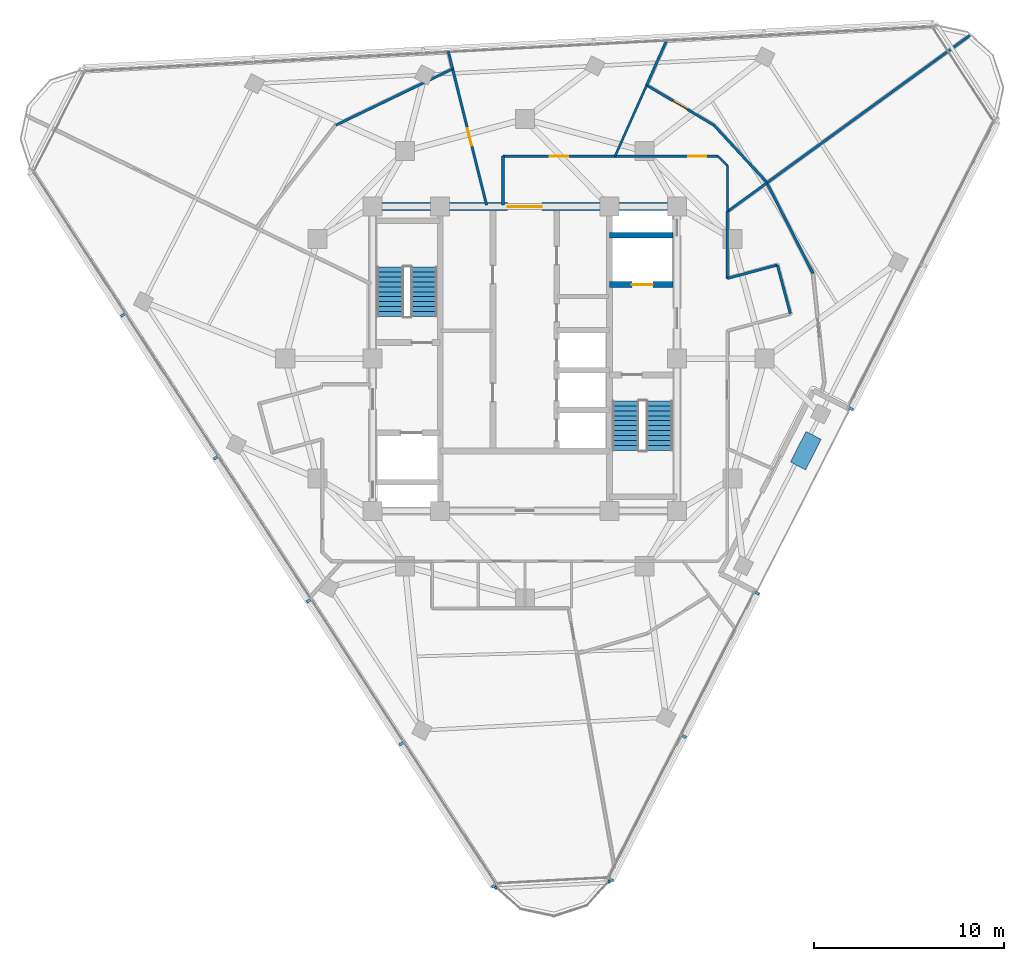
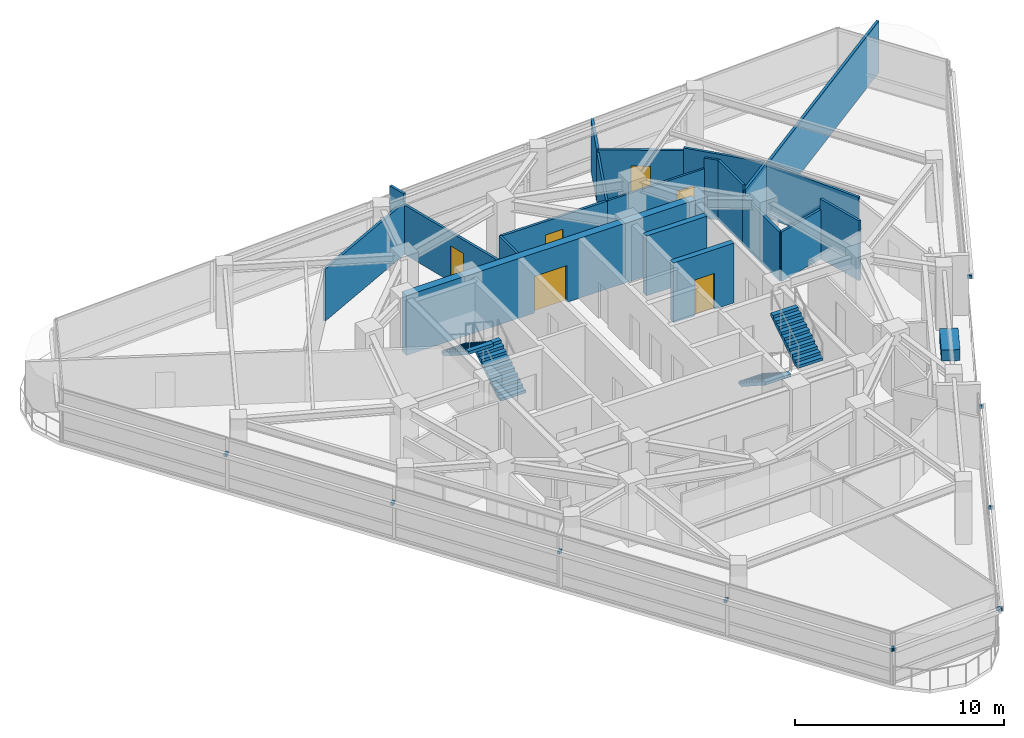
# One storey, part 10 of 15: 21 walls, 12 discrete accessories, 6 doors, 4 stair flights, 6 openings, 2 elements without a shape of their own.
"""IFC4 building model written with IfcOpenShell, lengths in metres."""

from ifc_helpers import new_model, si_unit, direction, frame, frame_2d, origin, origin_2d, place, context, subcontext, project, spatial, polyline, rectangle, outline, extrude, material, layer, layer_set, type_object, element, fill, aggregate, save


model = new_model("IFC4")

# Units and contexts
model_context = context("Model", 3, precision=1e-05, world=origin(), true_north=direction((0.0, 1.0)))
body_context = subcontext(model_context, "Body", "Model", "MODEL_VIEW")
ifc_project = project(units=[si_unit("LENGTHUNIT", "METRE"), si_unit("AREAUNIT", "SQUARE_METRE"), si_unit("VOLUMEUNIT", "CUBIC_METRE"), si_unit("PLANEANGLEUNIT", "RADIAN"), si_unit("MASSUNIT", "GRAM", prefix="KILO")], contexts=[model_context])

# Site, building, storey
site_placement = place(None, origin())
site = spatial("IfcSite", under=ifc_project, at=site_placement, CompositionType="ELEMENT")
building_placement = place(site_placement, origin())
building = spatial("IfcBuilding", under=site, at=building_placement, Name="Terralouvre Media Tower", CompositionType="ELEMENT")
storey_placement = place(building_placement, frame((0.0, 0.0, 252.199951171875)))
storey = spatial("IfcBuildingStorey", under=building, at=storey_placement, Name="L65", CompositionType="ELEMENT", Elevation=252.199951171875)

# Wall, opening, door
ifc_material_1 = material(Name="Concrete C50/60", Category="concrete")
ifc_layer_1 = layer(ifc_material_1, 0.300048828125, Name="Core Internal Shaft Wall CW-300")
ifc_layer_set_1 = layer_set([ifc_layer_1], Name="Concrete C50/60")
wall_type_1 = type_object("IfcWallType", Name="Core Internal Shaft Wall CW-300", PredefinedType="SHEAR", material=ifc_layer_set_1)
wall_1_placement = place(storey_placement, frame((4.449951171875, 3.89990234375, 0.0), z_axis=(0.0, 0.0, 1.0), x_axis=(1.0, 0.0, 0.0)))
wall_1 = element("IfcWall", 1, at=wall_1_placement, inside=storey, type_object=wall_type_1, Name="L65 Core Shaft Wall FF2S", PredefinedType="SHEAR", context=body_context, shape_type="SweptSolid", body=[
    extrude(rectangle(XDim=3.340087890625, YDim=0.300048828125, at=frame_2d((1.669921875, 0.0))), origin(), (0.0, 0.0, 1.0), 3.5),
])
opening_1_placement = place(wall_1_placement, frame((1.179931640625, 0.0, 0.0)))
opening_1 = element("IfcOpeningElement", 2, at=opening_1_placement, cuts=wall_1, Name="Opening LD-FF", PredefinedType="OPENING", context=body_context, shape_type="SweptSolid", body=[
    extrude(rectangle(XDim=1.10009765625, YDim=2.10009765625, at=frame_2d((0.550048828125, 1.050048828125))), frame((0.0, 0.159912109375, 0.0), z_axis=(0.0, -1.0, 0.0), x_axis=(1.0, 0.0, 0.0)), (0.0, 0.0, 1.0), 0.320068359375),
])
ifc_material_2 = material(Name="Stainless steel 316 handrail and balustrade", Category="steel")
door_type_1 = type_object("IfcDoorType", Name="Firefighting Lift Sliding Landing Door LD-FF", OperationType="SLIDING_TO_LEFT", PredefinedType="DOOR", material=ifc_material_2)
door_1_placement = place(opening_1_placement, origin())
door_1 = element("IfcDoor", 3, at=door_1_placement, inside=storey, type_object=door_type_1, Name="L65 Firefighting Lift FFL-02 Landing Door", OperationType="SLIDING_TO_LEFT", OverallHeight=2.10009765625, OverallWidth=1.10009765625, PredefinedType="DOOR", context=body_context, shape_type="SweptSolid", body=[
    extrude(rectangle(XDim=1.10009765625, YDim=2.10009765625, at=frame_2d((0.550048828125, 1.050048828125))), frame((0.0, 0.02490234375, 0.0), z_axis=(0.0, -1.0, 0.0), x_axis=(1.0, 0.0, 0.0)), (0.0, 0.0, 1.0), 0.050048828125),
])
fill(opening_1, door_1)

# Wall
wall_2_placement = place(storey_placement, frame((4.449951171875, 6.5, 0.0), z_axis=(0.0, 0.0, 1.0), x_axis=(1.0, 0.0, 0.0)))
element("IfcWall", 4, at=wall_2_placement, inside=storey, type_object=wall_type_1, Name="L65 Core Shaft Wall FF2N", PredefinedType="SHEAR", context=body_context, shape_type="SweptSolid", body=[
    extrude(rectangle(XDim=3.340087890625, YDim=0.300048828125, at=frame_2d((1.669921875, 0.0))), origin(), (0.0, 0.0, 1.0), 3.5),
])

# Wall, opening, door
ifc_material_3 = material(Name="Concrete C60/75", Category="concrete")
ifc_layer_2 = layer(ifc_material_3, 0.419921875, Name="Core Reinforced Concrete Shear Wall CW-420")
ifc_layer_set_2 = layer_set([ifc_layer_2], Name="Concrete C60/75")
wall_type_2 = type_object("IfcWallType", Name="Core Reinforced Concrete Shear Wall CW-420", PredefinedType="SHEAR", material=ifc_layer_set_2)
wall_3_placement = place(storey_placement, frame((-8.0, 8.0, 0.0), z_axis=(0.0, 0.0, 1.0), x_axis=(1.0, 0.0, 0.0)))
wall_3 = element("IfcWall", 5, at=wall_3_placement, inside=storey, type_object=wall_type_2, Name="L65 N Core Shear Wall", PredefinedType="SHEAR", context=body_context, shape_type="SweptSolid", body=[
    extrude(rectangle(XDim=16.0, YDim=0.419921875, at=frame_2d((8.0, 0.0))), origin(), (0.0, 0.0, 1.0), 3.5),
])
opening_2_placement = place(wall_3_placement, frame((7.10009765625, 0.0, 0.0)))
opening_2 = element("IfcOpeningElement", 6, at=opening_2_placement, cuts=wall_3, Name="Opening FD-03", PredefinedType="OPENING", context=body_context, shape_type="SweptSolid", body=[
    extrude(rectangle(XDim=1.800048828125, YDim=2.14990234375, at=frame_2d((0.89990234375, 1.074951171875))), frame((0.0, 0.219970703125, 0.0), z_axis=(0.0, -1.0, 0.0), x_axis=(1.0, 0.0, 0.0)), (0.0, 0.0, 1.0), 0.43994140625),
])
ifc_material_4 = material(Name="Galvanised steel fire-resisting leaf", Category="steel")
door_type_2 = type_object("IfcDoorType", Name="Corridor Smoke-Control Double Door FD-03", OperationType="DOUBLE_DOOR_SINGLE_SWING", PredefinedType="DOOR", material=ifc_material_4)
door_2_placement = place(opening_2_placement, origin())
door_2 = element("IfcDoor", 7, at=door_2_placement, inside=storey, type_object=door_type_2, Name="L65 Central Lift Lobby Portal Door", OperationType="DOUBLE_DOOR_SINGLE_SWING", OverallHeight=2.14990234375, OverallWidth=1.800048828125, PredefinedType="DOOR", context=body_context, shape_type="SweptSolid", body=[
    extrude(rectangle(XDim=1.800048828125, YDim=2.14990234375, at=frame_2d((0.89990234375, 1.074951171875))), frame((0.0, 0.02490234375, 0.0), z_axis=(0.0, -1.0, 0.0), x_axis=(1.0, 0.0, 0.0)), (0.0, 0.0, 1.0), 0.050048828125),
])
fill(opening_2, door_2)

# Walls
ifc_material_5 = material(Name="Fire-rated gypsum board drywall partition")
ifc_layer_3 = layer(ifc_material_5, 0.135009765625, Name="Newsroom Acoustic Partition PT-135")
ifc_layer_set_3 = layer_set([ifc_layer_3], Name="Fire-rated gypsum board drywall partition")
wall_type_3 = type_object("IfcWallType", Name="Newsroom Acoustic Partition PT-135", PredefinedType="PARTITIONING", material=ifc_layer_set_3)
wall_4_placement = place(storey_placement, frame((13.9619140625, 2.368896484375, 0.0), z_axis=(0.0, 0.0, 1.0), x_axis=(-0.258413725385, 0.966034340245, 0.0)))
element("IfcWall", 8, at=wall_4_placement, inside=storey, type_object=wall_type_3, Name="L65 Interior Partition 010", PredefinedType="PARTITIONING", context=body_context, shape_type="SweptSolid", body=[
    extrude(rectangle(XDim=2.650146484375, YDim=0.135009765625, at=frame_2d((1.3251953125, 0.0))), origin(), (0.0, 0.0, 1.0), 3.5),
])
wall_5_placement = place(storey_placement, frame((13.277099609375, 4.928955078125, 0.0), z_axis=(0.0, 0.0, 1.0), x_axis=(-0.965934830229, -0.258785439601, 0.0)))
element("IfcWall", 9, at=wall_5_placement, inside=storey, type_object=wall_type_3, Name="L65 Interior Partition 011", PredefinedType="PARTITIONING", context=body_context, shape_type="SweptSolid", body=[
    extrude(rectangle(XDim=2.719970703125, YDim=0.135009765625, at=frame_2d((1.35986328125, 0.0))), origin(), (0.0, 0.0, 1.0), 2.885009765625),
])
wall_6_placement = place(storey_placement, frame((10.64990234375, 4.22509765625, 0.0), z_axis=(0.0, 0.0, 1.0), x_axis=(0.0, 1.0, 0.0)))
element("IfcWall", 10, at=wall_6_placement, inside=storey, type_object=wall_type_3, Name="L65 Interior Partition 012", PredefinedType="PARTITIONING", context=body_context, shape_type="SweptSolid", body=[
    extrude(rectangle(XDim=3.512939453125, YDim=0.135009765625, at=frame_2d((1.75634765625, 0.0))), origin(), (0.0, 0.0, 1.0), 2.885009765625),
])

# Wall, opening, door
wall_7_placement = place(storey_placement, frame((4.741943359375, 10.64990234375, 0.0), z_axis=(0.0, 0.0, 1.0), x_axis=(-1.0, 0.0, 0.0)))
wall_7 = element("IfcWall", 11, at=wall_7_placement, inside=storey, type_object=wall_type_3, Name="L65 Interior Partition 024", PredefinedType="PARTITIONING", context=body_context, shape_type="SweptSolid", body=[
    extrude(rectangle(XDim=5.891845703125, YDim=0.135009765625, at=frame_2d((2.94580078125, 0.0))), origin(), (0.0, 0.0, 1.0), 2.885009765625),
])
opening_3_placement = place(wall_7_placement, frame((2.470947265625, 0.0, 0.0)))
opening_3 = element("IfcOpeningElement", 12, at=opening_3_placement, cuts=wall_7, Name="Opening ID-02-95X210", PredefinedType="OPENING", context=body_context, shape_type="SweptSolid", body=[
    extrude(rectangle(XDim=0.949951171875, YDim=2.10009765625, at=frame_2d((0.47509765625, 1.050048828125))), frame((0.0, 0.077392578125, 0.0), z_axis=(0.0, -1.0, 0.0), x_axis=(1.0, 0.0, 0.0)), (0.0, 0.0, 1.0), 0.155029296875),
])
ifc_material_6 = material(Name="Engineered hardwood acoustic timber leaf", Category="wood")
door_type_3 = type_object("IfcDoorType", Name="Office and Meeting Room Door ID-02 (950x2100)", OperationType="NOTDEFINED", PredefinedType="DOOR", material=ifc_material_6)
door_3_placement = place(opening_3_placement, origin())
door_3 = element("IfcDoor", 13, at=door_3_placement, inside=storey, type_object=door_type_3, Name="L65 Manuscript Rare Archive Storage 10 Door", OperationType="SINGLE_SWING_LEFT", OverallHeight=2.10009765625, OverallWidth=0.949951171875, PredefinedType="DOOR", context=body_context, shape_type="SweptSolid", body=[
    extrude(rectangle(XDim=0.949951171875, YDim=2.10009765625, at=frame_2d((0.47509765625, 1.050048828125))), frame((0.0, 0.02490234375, 0.0), z_axis=(0.0, -1.0, 0.0), x_axis=(1.0, 0.0, 0.0)), (0.0, 0.0, 1.0), 0.050048828125),
])
fill(opening_3, door_3)

# Walls
wall_8_placement = place(storey_placement, frame((-1.14990234375, 10.64990234375, 0.0), z_axis=(0.0, 0.0, 1.0), x_axis=(0.0, -1.0, 0.0)))
element("IfcWall", 14, at=wall_8_placement, inside=storey, type_object=wall_type_3, Name="L65 Interior Partition 025", PredefinedType="PARTITIONING", context=body_context, shape_type="SweptSolid", body=[
    extrude(rectangle(XDim=2.56982421875, YDim=0.135009765625, at=frame_2d((1.284912109375, 0.0))), origin(), (0.0, 0.0, 1.0), 2.885009765625),
])
wall_9_placement = place(storey_placement, frame((15.14892578125, 4.487060546875, 0.0), z_axis=(0.0, 0.0, 1.0), x_axis=(-0.453912768225, 0.891046126102, 0.0)))
element("IfcWall", 15, at=wall_9_placement, inside=storey, type_object=wall_type_3, Name="L65 Interior Partition 032", PredefinedType="PARTITIONING", context=body_context, shape_type="SweptSolid", body=[
    extrude(rectangle(XDim=5.33984375, YDim=0.135009765625, at=frame_2d((2.669921875, 0.0))), origin(), (0.0, 0.0, 1.0), 3.18505859375),
])
wall_10_placement = place(storey_placement, frame((12.72509765625, 9.2451171875, 0.0), z_axis=(0.0, 0.0, 1.0), x_axis=(-0.809135191367, -0.587622533683, 0.0)))
element("IfcWall", 16, at=wall_10_placement, inside=storey, type_object=wall_type_3, Name="L65 Interior Partition 033", PredefinedType="PARTITIONING", context=body_context, shape_type="SweptSolid", body=[
    extrude(rectangle(XDim=2.564697265625, YDim=0.135009765625, at=frame_2d((1.2822265625, 0.0))), origin(), (0.0, 0.0, 1.0), 3.18505859375),
])
wall_11_placement = place(storey_placement, frame((23.393798828125, 16.996826171875, 0.0), z_axis=(0.0, 0.0, 1.0), x_axis=(-0.80901413128, -0.587789192985, 0.0)))
element("IfcWall", 17, at=wall_11_placement, inside=storey, type_object=wall_type_3, Name="L65 Interior Partition 047", PredefinedType="PARTITIONING", context=body_context, shape_type="SweptSolid", body=[
    extrude(rectangle(XDim=13.17138671875, YDim=0.135009765625, at=frame_2d((6.585693359375, 0.0))), origin(), (0.0, 0.0, 1.0), 3.03515625),
])

# Wall, opening, door
wall_12_placement = place(storey_placement, frame((6.404052734375, 14.384033203125, 0.0), z_axis=(0.0, 0.0, 1.0), x_axis=(0.859464079119, -0.511196143085, 0.0)))
wall_12 = element("IfcWall", 18, at=wall_12_placement, inside=storey, type_object=wall_type_3, Name="L65 Interior Partition 048", PredefinedType="PARTITIONING", context=body_context, shape_type="SweptSolid", body=[
    extrude(rectangle(XDim=4.11767578125, YDim=0.135009765625, at=frame_2d((2.058837890625, 0.0))), origin(), (0.0, 0.0, 1.0), 3.03515625),
])
opening_4_placement = place(wall_12_placement, frame((1.598876953125, 0.0, 0.0)))
opening_4 = element("IfcOpeningElement", 19, at=opening_4_placement, cuts=wall_12, Name="Opening ID-03-92X210", PredefinedType="OPENING", context=body_context, shape_type="SweptSolid", body=[
    extrude(rectangle(XDim=0.919921875, YDim=2.10009765625, at=frame_2d((0.4599609375, 1.050048828125))), frame((0.0, 0.077392578125, 0.0), z_axis=(0.0, -1.0, 0.0), x_axis=(1.0, 0.0, 0.0)), (0.0, 0.0, 1.0), 0.155029296875),
])
ifc_material_7 = material(Name="Engineered hardwood acoustic timber leaf", Category="wood")
door_type_4 = type_object("IfcDoorType", Name="Accessible Restroom and Suite Door ID-03 (920x2100)", OperationType="NOTDEFINED", PredefinedType="DOOR", material=ifc_material_7)
door_4_placement = place(opening_4_placement, origin())
door_4 = element("IfcDoor", 20, at=door_4_placement, inside=storey, type_object=door_type_4, Name="L65 Publishing Production Workspace 8 Door", OperationType="SINGLE_SWING_RIGHT", OverallHeight=2.10009765625, OverallWidth=0.919921875, PredefinedType="DOOR", context=body_context, shape_type="SweptSolid", body=[
    extrude(rectangle(XDim=0.919921875, YDim=2.10009765625, at=frame_2d((0.4599609375, 1.050048828125))), frame((0.0, 0.02490234375, 0.0), z_axis=(0.0, -1.0, 0.0), x_axis=(1.0, 0.0, 0.0)), (0.0, 0.0, 1.0), 0.050048828125),
])
fill(opening_4, door_4)

# Walls
wall_13_placement = place(storey_placement, frame((9.943115234375, 12.279052734375, 0.0), z_axis=(0.0, 0.0, 1.0), x_axis=(0.678829604912, -0.734295831049, 0.0)))
element("IfcWall", 21, at=wall_13_placement, inside=storey, type_object=wall_type_3, Name="L65 Interior Partition 049", PredefinedType="PARTITIONING", context=body_context, shape_type="SweptSolid", body=[
    extrude(rectangle(XDim=4.058349609375, YDim=0.135009765625, at=frame_2d((2.029296875, 0.0))), origin(), (0.0, 0.0, 1.0), 3.18505859375),
])
wall_14_placement = place(storey_placement, frame((7.46533203125, 16.766357421875, 0.0), z_axis=(0.0, 0.0, 1.0), x_axis=(-0.406928703069, -0.913459922831, 0.0)))
element("IfcWall", 22, at=wall_14_placement, inside=storey, type_object=wall_type_3, Name="L65 Interior Partition 050", PredefinedType="PARTITIONING", context=body_context, shape_type="SweptSolid", body=[
    extrude(rectangle(XDim=2.60791015625, YDim=0.135009765625, at=frame_2d((1.303955078125, 0.0))), origin(), (0.0, 0.0, 1.0), 3.03515625),
])

# Wall, opening, door
wall_15_placement = place(storey_placement, frame((-3.800048828125, 15.241943359375, 0.0), z_axis=(0.0, 0.0, 1.0), x_axis=(0.241889603588, -0.970303777008, 0.0)))
wall_15 = element("IfcWall", 23, at=wall_15_placement, inside=storey, type_object=wall_type_3, Name="L65 Interior Partition 052", PredefinedType="PARTITIONING", context=body_context, shape_type="SweptSolid", body=[
    extrude(rectangle(XDim=7.381103515625, YDim=0.135009765625, at=frame_2d((3.6904296875, 0.0))), origin(), (0.0, 0.0, 1.0), 2.885009765625),
])
opening_5_placement = place(wall_15_placement, frame((3.230712890625, 0.0, 0.0)))
opening_5 = element("IfcOpeningElement", 24, at=opening_5_placement, cuts=wall_15, Name="Opening ID-03-92X210", PredefinedType="OPENING", context=body_context, shape_type="SweptSolid", body=[
    extrude(rectangle(XDim=0.919921875, YDim=2.10009765625, at=frame_2d((0.4599609375, 1.050048828125))), frame((0.0, 0.077392578125, 0.0), z_axis=(0.0, -1.0, 0.0), x_axis=(1.0, 0.0, 0.0)), (0.0, 0.0, 1.0), 0.155029296875),
])
door_5_placement = place(opening_5_placement, origin())
door_5 = element("IfcDoor", 25, at=door_5_placement, inside=storey, type_object=door_type_4, Name="L65 Print Proof Closet 11 Door", OperationType="SINGLE_SWING_LEFT", OverallHeight=2.10009765625, OverallWidth=0.919921875, PredefinedType="DOOR", context=body_context, shape_type="SweptSolid", body=[
    extrude(rectangle(XDim=0.919921875, YDim=2.10009765625, at=frame_2d((0.4599609375, 1.050048828125))), frame((0.0, 0.02490234375, 0.0), z_axis=(0.0, -1.0, 0.0), x_axis=(1.0, 0.0, 0.0)), (0.0, 0.0, 1.0), 0.050048828125),
])
fill(opening_5, door_5)

# Walls
wall_16_placement = place(storey_placement, frame((-4.02978515625, 16.163818359375, 0.0), z_axis=(0.0, 0.0, 1.0), x_axis=(0.241809991188, -0.970323620326, 0.0)))
element("IfcWall", 26, at=wall_16_placement, inside=storey, type_object=wall_type_3, Name="L65 Interior Partition 053", PredefinedType="PARTITIONING", context=body_context, shape_type="SweptSolid", body=[
    extrude(rectangle(XDim=0.949951171875, YDim=0.135009765625, at=frame_2d((0.47509765625, 0.0))), origin(), (0.0, 0.0, 1.0), 3.5),
])
wall_17_placement = place(storey_placement, frame((-3.800048828125, 15.241943359375, 0.0), z_axis=(0.0, 0.0, 1.0), x_axis=(-0.900708156853, -0.434424695635, 0.0)))
element("IfcWall", 27, at=wall_17_placement, inside=storey, type_object=wall_type_3, Name="L65 Interior Partition 054", PredefinedType="PARTITIONING", context=body_context, shape_type="SweptSolid", body=[
    extrude(rectangle(XDim=6.8203125, YDim=0.135009765625, at=frame_2d((3.41015625, 0.0))), origin(), (0.0, 0.0, 1.0), 3.03515625),
])
ifc_material_8 = material(Name="Fire-rated gypsum board drywall partition")
ifc_layer_4 = layer(ifc_material_8, 0.114990234375, Name="Restroom and Pantry Partition PT-115")
ifc_layer_set_4 = layer_set([ifc_layer_4], Name="Fire-rated gypsum board drywall partition")
wall_type_4 = type_object("IfcWallType", Name="Restroom and Pantry Partition PT-115", PredefinedType="PARTITIONING", material=ifc_layer_set_4)
wall_18_placement = place(storey_placement, frame((10.64990234375, 7.738037109375, 0.0), z_axis=(0.0, 0.0, 1.0), x_axis=(0.0, 1.0, 0.0)))
element("IfcWall", 28, at=wall_18_placement, inside=storey, type_object=wall_type_4, Name="L65 Interior Partition 021", PredefinedType="PARTITIONING", context=body_context, shape_type="SweptSolid", body=[
    extrude(rectangle(XDim=2.411865234375, YDim=0.114990234375, at=frame_2d((1.2060546875, 0.0))), origin(), (0.0, 0.0, 1.0), 3.5),
])
wall_19_placement = place(storey_placement, frame((10.64990234375, 10.14990234375, 0.0), z_axis=(0.0, 0.0, 1.0), x_axis=(-0.707106781187, 0.707106781187, 0.0)))
element("IfcWall", 29, at=wall_19_placement, inside=storey, type_object=wall_type_4, Name="L65 Interior Partition 022", PredefinedType="PARTITIONING", context=body_context, shape_type="SweptSolid", body=[
    extrude(rectangle(XDim=0.70703125, YDim=0.114990234375, at=frame_2d((0.353515625, 0.0))), origin(), (0.0, 0.0, 1.0), 3.5),
])

# Wall, opening, door
wall_20_placement = place(storey_placement, frame((10.14990234375, 10.64990234375, 0.0), z_axis=(0.0, 0.0, 1.0), x_axis=(-1.0, 0.0, 0.0)))
wall_20 = element("IfcWall", 30, at=wall_20_placement, inside=storey, type_object=wall_type_4, Name="L65 Interior Partition 023", PredefinedType="PARTITIONING", context=body_context, shape_type="SweptSolid", body=[
    extrude(rectangle(XDim=5.407958984375, YDim=0.114990234375, at=frame_2d((2.7041015625, 0.0))), origin(), (0.0, 0.0, 1.0), 2.885009765625),
])
opening_6_placement = place(wall_20_placement, frame((0.606689453125, 0.0, 0.0)))
opening_6 = element("IfcOpeningElement", 31, at=opening_6_placement, cuts=wall_20, Name="Opening SD-01-95X210", PredefinedType="OPENING", context=body_context, shape_type="SweptSolid", body=[
    extrude(rectangle(XDim=0.949951171875, YDim=2.10009765625, at=frame_2d((0.47509765625, 1.050048828125))), frame((0.0, 0.0673828125, 0.0), z_axis=(0.0, -1.0, 0.0), x_axis=(1.0, 0.0, 0.0)), (0.0, 0.0, 1.0), 0.135009765625),
])
ifc_material_9 = material(Name="Anodised extruded aluminium 6063-T6", Category="aluminium")
door_type_5 = type_object("IfcDoorType", Name="Pantry Pocket Sliding Door SD-01 (950x2100)", OperationType="SLIDING_TO_LEFT", PredefinedType="DOOR", material=ifc_material_9)
door_6_placement = place(opening_6_placement, origin())
door_6 = element("IfcDoor", 32, at=door_6_placement, inside=storey, type_object=door_type_5, Name="L65 Salon Tea and Pastry Kitchen 9 Door", OperationType="SLIDING_TO_LEFT", OverallHeight=2.10009765625, OverallWidth=0.949951171875, PredefinedType="DOOR", context=body_context, shape_type="SweptSolid", body=[
    extrude(rectangle(XDim=0.949951171875, YDim=2.10009765625, at=frame_2d((0.47509765625, 1.050048828125))), frame((0.0, 0.02490234375, 0.0), z_axis=(0.0, -1.0, 0.0), x_axis=(1.0, 0.0, 0.0)), (0.0, 0.0, 1.0), 0.050048828125),
])
fill(opening_6, door_6)

# Wall
wall_21_placement = place(storey_placement, frame((6.404052734375, 14.384033203125, 0.0), z_axis=(0.0, 0.0, 1.0), x_axis=(-0.406648271104, -0.913584798258, 0.0)))
element("IfcWall", 33, at=wall_21_placement, inside=storey, type_object=wall_type_4, Name="L65 Interior Partition 051", PredefinedType="PARTITIONING", context=body_context, shape_type="SweptSolid", body=[
    extrude(rectangle(XDim=4.08740234375, YDim=0.114990234375, at=frame_2d((2.043701171875, 0.0))), origin(), (0.0, 0.0, 1.0), 2.885009765625),
])

# Stair, stair flights
ifc_material_10 = material(Name="Concrete C45/55", Category="concrete")
stair_type_1 = type_object("IfcStairType", Name="Dogleg Stair Assembly ST-01", PredefinedType="HALF_TURN_STAIR", material=ifc_material_10)
stair_1_placement = place(storey_placement, origin())
stair_1 = element("IfcStair", 34, at=stair_1_placement, inside=storey, type_object=stair_type_1, Name="L65 Core Pressurised Exit Stair ST-01", PredefinedType="HALF_TURN_STAIR")
ifc_material_11 = material(Name="Concrete C45/55", Category="concrete")
stair_flight_type = type_object("IfcStairFlightType", Name="Reinforced Concrete Stair Flight SF-RC1", PredefinedType="STRAIGHT", material=ifc_material_11)
stair_flight_1_placement = place(storey_placement, frame((-5.300048828125, 2.219970703125, 0.0), z_axis=(0.0, 0.0, 1.0), x_axis=(0.0, 1.0, 0.0)))
stair_flight_1 = element("IfcStairFlight", 35, at=stair_flight_1_placement, type_object=stair_flight_type, Name="ST-01 flight 1", NumberOfRisers=11, NumberOfTreads=10, PredefinedType="STRAIGHT", RiserHeight=0.168181818, TreadLength=0.26, context=body_context, shape_type="SweptSolid", body=[
    extrude(outline(polyline([(0.0, 0.0), (0.0, 0.168212890625), (0.260009765625, 0.168212890625), (0.260009765625, 0.33642578125), (0.52001953125, 0.33642578125), (0.52001953125, 0.504638671875), (0.780029296875, 0.504638671875), (0.780029296875, 0.672607421875), (1.0400390625, 0.672607421875), (1.0400390625, 0.8408203125), (1.300048828125, 0.8408203125), (1.300048828125, 1.009033203125), (1.56005859375, 1.009033203125), (1.56005859375, 1.17724609375), (1.820068359375, 1.17724609375), (1.820068359375, 1.345458984375), (2.080078125, 1.345458984375), (2.080078125, 1.513671875), (2.340087890625, 1.513671875), (2.340087890625, 1.681884765625), (2.60009765625, 1.681884765625), (2.60009765625, 1.85009765625), (2.60009765625, 1.503173828125), (0.27587890625, 0.0), (0.0, 0.0)])), frame((0.0, 0.699951171875, 0.0), z_axis=(0.0, -1.0, 0.0), x_axis=(1.0, 0.0, 0.0)), (0.0, 0.0, 1.0), 1.39990234375),
])
stair_flight_2_placement = place(storey_placement, frame((-7.080078125, 4.820068359375, 1.85009765625), z_axis=(0.0, 0.0, 1.0), x_axis=(0.0, -1.0, 0.0)))
stair_flight_2 = element("IfcStairFlight", 36, at=stair_flight_2_placement, type_object=stair_flight_type, Name="ST-01 flight 2", NumberOfRisers=11, NumberOfTreads=10, PredefinedType="STRAIGHT", RiserHeight=0.168181818, TreadLength=0.26, context=body_context, shape_type="SweptSolid", body=[
    extrude(outline(polyline([(0.0, 0.0), (0.0, 0.168212890625), (0.260009765625, 0.168212890625), (0.260009765625, 0.33642578125), (0.52001953125, 0.33642578125), (0.52001953125, 0.504638671875), (0.780029296875, 0.504638671875), (0.780029296875, 0.672607421875), (1.0400390625, 0.672607421875), (1.0400390625, 0.8408203125), (1.300048828125, 0.8408203125), (1.300048828125, 1.009033203125), (1.56005859375, 1.009033203125), (1.56005859375, 1.17724609375), (1.820068359375, 1.17724609375), (1.820068359375, 1.345458984375), (2.080078125, 1.345458984375), (2.080078125, 1.513671875), (2.340087890625, 1.513671875), (2.340087890625, 1.681884765625), (2.60009765625, 1.681884765625), (2.60009765625, 1.85009765625), (2.60009765625, 1.503173828125), (0.27587890625, 0.0), (0.0, 0.0)])), frame((0.0, 0.699951171875, 0.0), z_axis=(0.0, -1.0, 0.0), x_axis=(1.0, 0.0, 0.0)), (0.0, 0.0, 1.0), 1.39990234375),
])
aggregate(stair_1, [stair_flight_1, stair_flight_2])

ifc_material_12 = material(Name="Concrete C45/55", Category="concrete")
stair_type_2 = type_object("IfcStairType", Name="Dogleg Stair Assembly ST-02", PredefinedType="HALF_TURN_STAIR", material=ifc_material_12)
stair_2_placement = place(storey_placement, origin())
stair_2 = element("IfcStair", 37, at=stair_2_placement, inside=storey, type_object=stair_type_2, Name="L65 Core Pressurised Exit Stair ST-02", PredefinedType="HALF_TURN_STAIR")
stair_flight_3_placement = place(storey_placement, frame((5.300048828125, -2.219970703125, 0.0), z_axis=(0.0, 0.0, 1.0), x_axis=(0.0, -1.0, 0.0)))
stair_flight_3 = element("IfcStairFlight", 38, at=stair_flight_3_placement, type_object=stair_flight_type, Name="ST-02 flight 1", NumberOfRisers=11, NumberOfTreads=10, PredefinedType="STRAIGHT", RiserHeight=0.168181818, TreadLength=0.26, context=body_context, shape_type="SweptSolid", body=[
    extrude(outline(polyline([(0.0, 0.0), (0.0, 0.168212890625), (0.260009765625, 0.168212890625), (0.260009765625, 0.33642578125), (0.52001953125, 0.33642578125), (0.52001953125, 0.504638671875), (0.780029296875, 0.504638671875), (0.780029296875, 0.672607421875), (1.0400390625, 0.672607421875), (1.0400390625, 0.8408203125), (1.300048828125, 0.8408203125), (1.300048828125, 1.009033203125), (1.56005859375, 1.009033203125), (1.56005859375, 1.17724609375), (1.820068359375, 1.17724609375), (1.820068359375, 1.345458984375), (2.080078125, 1.345458984375), (2.080078125, 1.513671875), (2.340087890625, 1.513671875), (2.340087890625, 1.681884765625), (2.60009765625, 1.681884765625), (2.60009765625, 1.85009765625), (2.60009765625, 1.503173828125), (0.27587890625, 0.0), (0.0, 0.0)])), frame((0.0, 0.699951171875, 0.0), z_axis=(0.0, -1.0, 0.0), x_axis=(1.0, 0.0, 0.0)), (0.0, 0.0, 1.0), 1.39990234375),
])
stair_flight_4_placement = place(storey_placement, frame((7.080078125, -4.820068359375, 1.85009765625), z_axis=(0.0, 0.0, 1.0), x_axis=(0.0, 1.0, 0.0)))
stair_flight_4 = element("IfcStairFlight", 39, at=stair_flight_4_placement, type_object=stair_flight_type, Name="ST-02 flight 2", NumberOfRisers=11, NumberOfTreads=10, PredefinedType="STRAIGHT", RiserHeight=0.168181818, TreadLength=0.26, context=body_context, shape_type="SweptSolid", body=[
    extrude(outline(polyline([(0.0, 0.0), (0.0, 0.168212890625), (0.260009765625, 0.168212890625), (0.260009765625, 0.33642578125), (0.52001953125, 0.33642578125), (0.52001953125, 0.504638671875), (0.780029296875, 0.504638671875), (0.780029296875, 0.672607421875), (1.0400390625, 0.672607421875), (1.0400390625, 0.8408203125), (1.300048828125, 0.8408203125), (1.300048828125, 1.009033203125), (1.56005859375, 1.009033203125), (1.56005859375, 1.17724609375), (1.820068359375, 1.17724609375), (1.820068359375, 1.345458984375), (2.080078125, 1.345458984375), (2.080078125, 1.513671875), (2.340087890625, 1.513671875), (2.340087890625, 1.681884765625), (2.60009765625, 1.681884765625), (2.60009765625, 1.85009765625), (2.60009765625, 1.503173828125), (0.27587890625, 0.0), (0.0, 0.0)])), frame((0.0, 0.699951171875, 0.0), z_axis=(0.0, -1.0, 0.0), x_axis=(1.0, 0.0, 0.0)), (0.0, 0.0, 1.0), 1.39990234375),
])
aggregate(stair_2, [stair_flight_3, stair_flight_4])

# Discrete accessories
ifc_material_13 = material(Name="Anodised extruded aluminium 6063-T6", Category="aluminium")
discrete_accessory_type_1 = type_object("IfcDiscreteAccessoryType", Name="Mullion Stand-Off Baguette Fixing Bracket BK-01", PredefinedType="BRACKET", material=ifc_material_13)
for number, where, z_axis, x_axis, name in (
    (40, (4.52490234375, -27.403564453125, 2.07421875), (0.0, 0.0, 1.0), (0.453989886735, 0.89100683653, 0.0), "CW-L65-F0L Baguette Outrigger Bracket 1.01"),
    (41, (8.36669921875, -19.863525390625, 2.07421875), (0.0, 0.0, 1.0), (0.453989886735, 0.89100683653, 0.0), "CW-L65-F0L Baguette Outrigger Bracket 1.02"),
    (42, (12.208740234375, -12.3232421875, 2.07421875), (0.0, 0.0, 1.0), (0.453989886735, 0.89100683653, 0.0), "CW-L65-F0L Baguette Outrigger Bracket 1.03"),
    (43, (17.145751953125, -2.633544921875, 2.07421875), (0.0, 0.0, 1.0), (0.453991296619, 0.891006118157, 0.0), "CW-L65-F0R Baguette Outrigger Bracket 1.01"),
    (44, (-21.135009765625, 2.300048828125, 2.07421875), (0.0, 0.0, 1.0), (0.544639069077, -0.838670545826, 0.0), "CW-L65-F2 Baguette Outrigger Bracket 1.02"),
    (45, (-16.255126953125, -5.21435546875, 2.07421875), (0.0, 0.0, 1.0), (0.544639069077, -0.838670545826, 0.0), "CW-L65-F2 Baguette Outrigger Bracket 1.03"),
    (46, (-11.375244140625, -12.72900390625, 2.07421875), (0.0, 0.0, 1.0), (0.544639069077, -0.838670545826, 0.0), "CW-L65-F2 Baguette Outrigger Bracket 1.04"),
    (47, (-6.4951171875, -20.243408203125, 2.07421875), (0.0, 0.0, 1.0), (0.544639069077, -0.838670545826, 0.0), "CW-L65-F2 Baguette Outrigger Bracket 1.05"),
    (48, (-1.6357421875, -27.726318359375, 2.07421875), (0.0, 0.0, 1.0), (0.544639069077, -0.838670545826, 0.0), "CW-L65-F2 Baguette Outrigger Bracket 1.06"),
    (49, (-1.543212890625, -27.754150390625, 2.07421875), (0.0, 0.0, 1.0), (0.998629533744, 0.05233597552, 0.0), "CW-L65-C0 Baguette Outrigger Bracket 1.01"),
    (50, (4.435791015625, -27.440673828125, 2.07421875), (0.0, 0.0, 1.0), (0.998629533744, 0.05233597552, 0.0), "CW-L65-C0 Baguette Outrigger Bracket 1.02"),
):
    element("IfcDiscreteAccessory", number, at=place(storey_placement, frame(where, z_axis=z_axis, x_axis=x_axis)), inside=storey, type_object=discrete_accessory_type_1, Name=name, PredefinedType="BRACKET", context=body_context, shape_type="SweptSolid", body=[
        extrude(rectangle(XDim=0.139892578125, YDim=0.239990234375, at=origin_2d()), origin(), (0.0, 0.0, 1.0), 0.179931640625),
    ])
ifc_material_14 = material(Name="Kiln-fired architectural terracotta rainscreen cladding", Category="masonry")
discrete_accessory_type_2 = type_object("IfcDiscreteAccessoryType", Name="Planted Tropical Garden Bed Planter PLT-01", PredefinedType="USERDEFINED", material=ifc_material_14)
discrete_accessory_placement = place(storey_placement, frame((14.7734375, -4.833740234375, -0.0048828125), z_axis=(0.0, 0.0, 1.0), x_axis=(0.453989910528, 0.891006824407, 0.0)))
element("IfcDiscreteAccessory", 51, at=discrete_accessory_placement, inside=storey, type_object=discrete_accessory_type_2, Name="L65 SG Planted Garden Bed Planter", ObjectType="PLANTER", PredefinedType="USERDEFINED", context=body_context, shape_type="SweptSolid", body=[
    extrude(rectangle(XDim=1.800048828125, YDim=0.89990234375, at=origin_2d()), origin(), (0.0, 0.0, 1.0), 0.64990234375),
])

save(model, "model.ifc")
